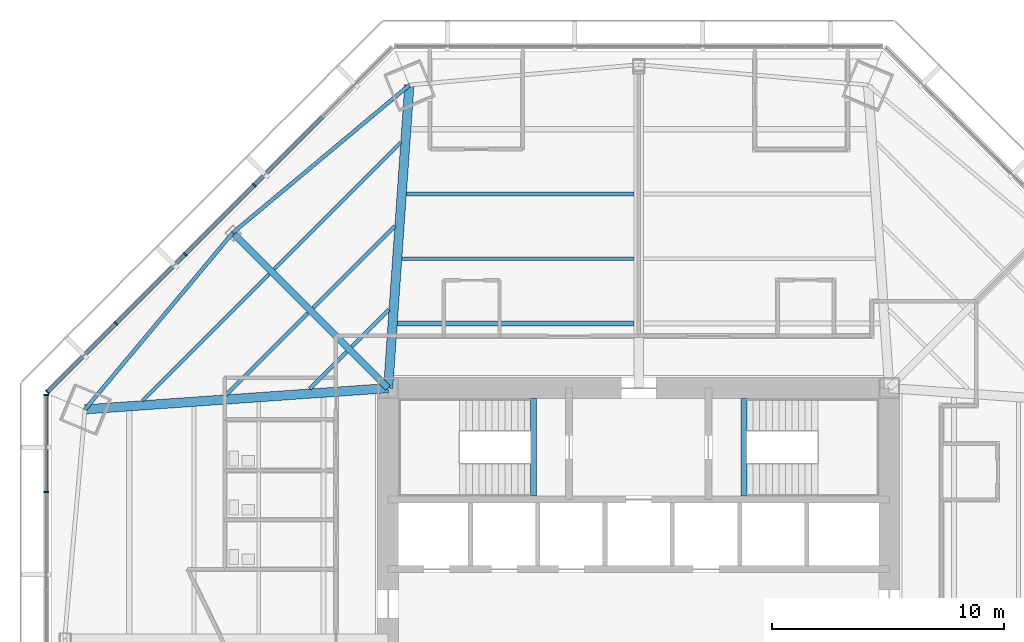
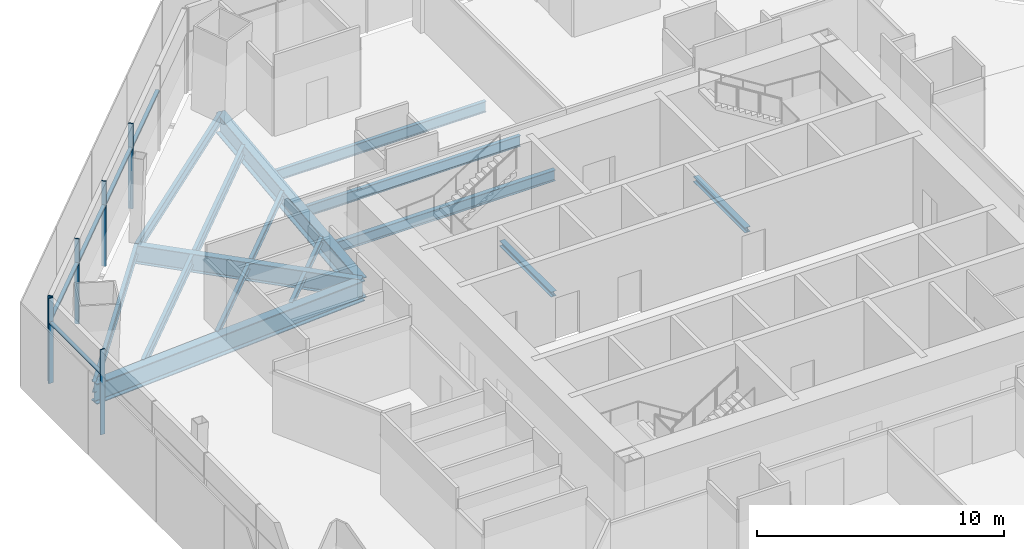
# One storey, part 5 of 17: 16 beams, 11 members, 2 elements without a shape of their own.
"""IFC4 building model written with IfcOpenShell, lengths in metres."""

import ifcopenshell
import ifcopenshell.guid

model = None  # the IFC model being written
_history = None  # IfcOwnerHistory: only IFC2X3 demands one
_inside = {}  # id of a spatial element -> (the spatial element, [elements in it])
_under = {}  # id of a project, library or spatial element -> (it, [spatial elements below it])
_declared = {}  # id of a project -> (the project, [libraries it declares])
_typed = {}  # id of a type object -> (the type object, [elements of that type])
_made_of = {}  # id of a material, layer set ... -> (it, [elements and type objects made of it])


def new_model(schema):
    """Start an empty IFC model of exactly this schema.

    Asked for "IFC4X3", IfcOpenShell would pick the latest addendum, in which some entities
    have other attributes; the version numbers below select the first issue.
    IFC2X3 requires an IfcOwnerHistory on every rooted entity: one is made here for all.
    """
    global model, _history
    if schema == "IFC4X3":
        model = ifcopenshell.file(schema_version=(4, 3, 0, 0))
    else:
        model = ifcopenshell.file(schema=schema)
    _inside.clear()
    _under.clear()
    _declared.clear()
    _typed.clear()
    _made_of.clear()
    _history = None
    if model.schema == "IFC2X3":
        org = make("IfcOrganization", Name="unknown")
        user = make(
            "IfcPersonAndOrganization",
            ThePerson=make("IfcPerson", FamilyName="unknown"),
            TheOrganization=org,
        )
        app = make(
            "IfcApplication",
            ApplicationDeveloper=org,
            Version="unknown",
            ApplicationFullName="unknown",
            ApplicationIdentifier="unknown",
        )
        _history = make(
            "IfcOwnerHistory",
            OwningUser=user,
            OwningApplication=app,
            ChangeAction="ADDED",
            CreationDate=0,
        )
    return model


def make(cls, **values):
    """One entity of the class cls with the attributes given. An attribute that is None is left unset."""
    return model.create_entity(
        cls, **{name: value for name, value in values.items() if value is not None}
    )


def rooted(cls, **values):
    """An entity with a GlobalId (a new one), such as an element, a storey or a relation."""
    return make(cls, GlobalId=ifcopenshell.guid.new(), OwnerHistory=_history, **values)


def si_unit(unit_type, name, prefix=None):
    """IfcSIUnit, for example si_unit("LENGTHUNIT", "METRE", prefix="MILLI")."""
    return make("IfcSIUnit", UnitType=unit_type, Prefix=prefix, Name=name)


def assignment(units):
    """IfcUnitAssignment: the units of a project."""
    return None if units is None else make("IfcUnitAssignment", Units=units)


def point(xyz):
    """IfcCartesianPoint."""
    return None if xyz is None else make("IfcCartesianPoint", Coordinates=xyz)


def direction(xyz):
    """IfcDirection."""
    return None if xyz is None else make("IfcDirection", DirectionRatios=xyz)


def frame(location, z_axis=None, x_axis=None):
    """IfcAxis2Placement3D, a coordinate frame: its origin and axes. An axis left out is left unset."""
    return make(
        "IfcAxis2Placement3D",
        Location=point(location),
        Axis=direction(z_axis),
        RefDirection=direction(x_axis),
    )


def frame_2d(location, x_axis=None):
    """IfcAxis2Placement2D, a coordinate frame in the plane: its origin and x axis."""
    return make(
        "IfcAxis2Placement2D", Location=point(location), RefDirection=direction(x_axis)
    )


def origin():
    """The frame at (0, 0, 0) with its axes left unset."""
    return frame((0.0, 0.0, 0.0))


def origin_2d():
    """The frame at (0, 0) in the plane with its x axis left unset."""
    return frame_2d((0.0, 0.0))


def place(relative_to, where):
    """IfcLocalPlacement: puts the frame where relative to a parent placement (None: the world)."""
    return make(
        "IfcLocalPlacement", PlacementRelTo=relative_to, RelativePlacement=where
    )


def context(
    kind, dimensions, precision=None, world=None, true_north=None, identifier=None
):
    """IfcGeometricRepresentationContext, for example the 3D "Model" context."""
    return make(
        "IfcGeometricRepresentationContext",
        ContextIdentifier=identifier,
        ContextType=kind,
        CoordinateSpaceDimension=dimensions,
        Precision=precision,
        WorldCoordinateSystem=world,
        TrueNorth=true_north,
    )


def subcontext(parent, identifier, kind, view, scale=None):
    """IfcGeometricRepresentationSubContext, for example "Body" below "Model"."""
    return make(
        "IfcGeometricRepresentationSubContext",
        ContextIdentifier=identifier,
        ContextType=kind,
        ParentContext=parent,
        TargetScale=scale,
        TargetView=view,
    )


def project(units=None, contexts=None):
    """IfcProject with its units and contexts."""
    return rooted(
        "IfcProject",
        Name="project",
        RepresentationContexts=contexts,
        UnitsInContext=assignment(units),
    )


def spatial(cls, under=None, at=None, **own):
    """A site, building, storey or space (cls), placed at a placement, below another one or the project."""
    s = rooted(cls, ObjectPlacement=at, **own)
    if under is not None:
        _under.setdefault(under.id(), (under, []))[1].append(s)
    return s


def profile(cls, at=None, kind="AREA", **sizes):
    """A parametric profile (cls). Its sizes go by their IFC names, for example OverallWidth=200.0."""
    return make(cls, ProfileType=kind, Position=at, **sizes)


def rectangle(**sizes):
    """IfcRectangleProfileDef."""
    return profile("IfcRectangleProfileDef", **sizes)


def i_section(**sizes):
    """IfcIShapeProfileDef."""
    return profile("IfcIShapeProfileDef", **sizes)


def extrude(swept, where, along, depth):
    """IfcExtrudedAreaSolid: the profile swept, set in the frame where, extruded along a direction by depth."""
    return make(
        "IfcExtrudedAreaSolid",
        SweptArea=swept,
        Position=where,
        ExtrudedDirection=direction(along),
        Depth=depth,
    )


def shape(context_of_items, identifier, shape_type, items):
    """IfcShapeRepresentation: the items that make up one representation, for example the "Body"."""
    return make(
        "IfcShapeRepresentation",
        ContextOfItems=context_of_items,
        RepresentationIdentifier=identifier,
        RepresentationType=shape_type,
        Items=items,
    )


def source(mapping_origin, context_of_items, identifier, shape_type, items):
    """IfcRepresentationMap: a shape defined once, which mapped items show again and again."""
    return make(
        "IfcRepresentationMap",
        MappingOrigin=mapping_origin,
        MappedRepresentation=shape(context_of_items, identifier, shape_type, items),
    )


def transform(
    local_origin,
    x_axis=None,
    y_axis=None,
    z_axis=None,
    scale=None,
    scale2=None,
    scale3=None,
    uniform=True,
):
    """IfcCartesianTransformationOperator3D, or its non-uniform kind. x_axis, y_axis, z_axis: its Axis1, 2, 3."""
    if uniform:
        return make(
            "IfcCartesianTransformationOperator3D",
            Axis1=direction(x_axis),
            Axis2=direction(y_axis),
            LocalOrigin=point(local_origin),
            Scale=scale,
            Axis3=direction(z_axis),
        )
    return make(
        "IfcCartesianTransformationOperator3DnonUniform",
        Axis1=direction(x_axis),
        Axis2=direction(y_axis),
        LocalOrigin=point(local_origin),
        Scale=scale,
        Axis3=direction(z_axis),
        Scale2=scale2,
        Scale3=scale3,
    )


def mapped(mapping_source, mapping_target):
    """IfcMappedItem: shows the shape of a source again, moved by a transform."""
    return make(
        "IfcMappedItem", MappingSource=mapping_source, MappingTarget=mapping_target
    )


def material(Name=None, Category=None):
    """IfcMaterial."""
    return make("IfcMaterial", Name=Name, Category=Category)


def material_profile(
    of_material, cross_section, Name=None, Category=None, Priority=None
):
    """IfcMaterialProfile: a cross section and its material."""
    return make(
        "IfcMaterialProfile",
        Name=Name,
        Material=of_material,
        Profile=cross_section,
        Priority=Priority,
        Category=Category,
    )


def profile_set(profiles, Name=None, composite=None):
    """IfcMaterialProfileSet."""
    return make(
        "IfcMaterialProfileSet",
        Name=Name,
        MaterialProfiles=profiles,
        CompositeProfile=composite,
    )


def made_of(thing, what):
    """Note that an element or type object is made of a material, layer set ...; save() writes the relation."""
    if what is not None:
        _made_of.setdefault(what.id(), (what, []))[1].append(thing)
    return thing


def type_object(cls, material=None, **own):
    """A type object (cls), such as IfcWallType, which elements share."""
    return made_of(rooted(cls, **own), material)


def type_shapes(of_type, sources):
    """Give a type object the sources (RepresentationMaps) that its elements show as mapped items."""
    of_type.RepresentationMaps = sources


def element(
    cls,
    number,
    at=None,
    inside=None,
    cuts=None,
    type_object=None,
    material=None,
    context=None,
    identifier="Body",
    shape_type=None,
    held_by="IfcProductDefinitionShape",
    body=None,
    shapes=None,
    **own,
):
    """One element of the class cls, such as IfcWall. Its Tag is "e" and its number.

    at: its placement. inside: the storey or other place that contains it. cuts: it is an
    opening in that element (IfcRelVoidsElement). A single representation is given by context,
    identifier, shape_type and body (its items); several are given by shapes. held_by: the class
    of the entity that holds the representations. save() writes the other relations.
    """
    e = rooted(cls, Tag="e%d" % number, ObjectPlacement=at, **own)
    if body is not None:
        shapes = [shape(context, identifier, shape_type, body)]
    if shapes is not None:
        e.Representation = make(held_by, Representations=shapes)
    if inside is not None:
        _inside.setdefault(inside.id(), (inside, []))[1].append(e)
    if cuts is not None:
        rooted(
            "IfcRelVoidsElement", RelatingBuildingElement=cuts, RelatedOpeningElement=e
        )
    if type_object is not None:
        _typed.setdefault(type_object.id(), (type_object, []))[1].append(e)
    return made_of(e, material)


def aggregate(whole, parts):
    """IfcRelAggregates: a whole, such as a stair, and the parts it consists of."""
    return rooted("IfcRelAggregates", RelatingObject=whole, RelatedObjects=parts)


def save(model, path):
    """Write the relations noted so far, then the file.

    IfcRelAggregates (storeys below a building ...), IfcRelContainedInSpatialStructure (elements
    in a storey), IfcRelDefinesByType, IfcRelAssociatesMaterial and IfcRelDeclares: one each for
    every whole, place, type object, material and project.
    """
    for whole, parts in _under.values():
        aggregate(whole, parts)
    for where, things in _inside.values():
        rooted(
            "IfcRelContainedInSpatialStructure",
            RelatedElements=things,
            RelatingStructure=where,
        )
    for kind, things in _typed.values():
        rooted("IfcRelDefinesByType", RelatedObjects=things, RelatingType=kind)
    for what, things in _made_of.values():
        rooted("IfcRelAssociatesMaterial", RelatedObjects=things, RelatingMaterial=what)
    for by, libraries in _declared.values():
        rooted("IfcRelDeclares", RelatingContext=by, RelatedDefinitions=libraries)
    model.write(path)


model = new_model("IFC4")

# Units and contexts
model_context = context("Model", 3, precision=1e-05, world=origin(), true_north=direction((0.0, 1.0)))
body_context = subcontext(model_context, "Body", "Model", "MODEL_VIEW")
ifc_project = project(units=[si_unit("LENGTHUNIT", "METRE"), si_unit("AREAUNIT", "SQUARE_METRE"), si_unit("VOLUMEUNIT", "CUBIC_METRE"), si_unit("PLANEANGLEUNIT", "RADIAN"), si_unit("MASSUNIT", "GRAM", prefix="KILO")], contexts=[model_context])

# Site, building, storey
site_placement = place(None, origin())
site = spatial("IfcSite", under=ifc_project, at=site_placement, CompositionType="ELEMENT")
building_placement = place(site_placement, origin())
building = spatial("IfcBuilding", under=site, at=building_placement, Name="Mashrafa Tower", CompositionType="ELEMENT")
storey_placement = place(building_placement, frame((0.0, 0.0, 87.60009765625)))
storey = spatial("IfcBuildingStorey", under=building, at=storey_placement, Name="L19", CompositionType="ELEMENT", Elevation=87.60009765625)

# Beams
ifc_material_1 = material(Name="Steel ASTM A992", Category="steel")
ifc_material_profile_1 = material_profile(ifc_material_1, i_section(OverallWidth=0.164794921875, OverallDepth=0.309814453125, WebThickness=0.005859375, FlangeThickness=0.009765625, FilletRadius=0.007568359375, at=origin_2d()), Name="W12X26")
ifc_profile_set_1 = profile_set([ifc_material_profile_1], Name="Steel ASTM A992")
beam_type_1 = type_object("IfcBeamType", Name="Beam W12X26", PredefinedType="BEAM", material=ifc_profile_set_1)
beam_1_placement = place(storey_placement, frame((-17.782958984375, 10.51171875, -0.320068359375), z_axis=(0.707106781187, 0.707106781187, 0.0), x_axis=(-0.707106781187, 0.707106781187, 0.0)))
element("IfcBeam", 1, at=beam_1_placement, inside=storey, type_object=beam_type_1, Name="Floor beam L19 006", PredefinedType="BEAM", context=body_context, shape_type="SweptSolid", body=[
    extrude(i_section(OverallWidth=0.164794921875, OverallDepth=0.309814453125, WebThickness=0.005859375, FlangeThickness=0.009765625, FilletRadius=0.007568359375, at=origin_2d()), origin(), (0.0, 0.0, 1.0), 4.989013671875),
])
beam_2_placement = place(storey_placement, frame((-14.183349609375, 10.763916015625, -0.320068359375), z_axis=(0.707052896121, 0.707160662147, 0.0), x_axis=(-0.707160662147, 0.707052896121, 0.0)))
element("IfcBeam", 2, at=beam_2_placement, inside=storey, type_object=beam_type_1, Name="Floor beam L19 011", PredefinedType="BEAM", context=body_context, shape_type="SweptSolid", body=[
    extrude(i_section(OverallWidth=0.164794921875, OverallDepth=0.309814453125, WebThickness=0.005859375, FlangeThickness=0.009765625, FilletRadius=0.007568359375, at=origin_2d()), origin(), (0.0, 0.0, 1.0), 2.265380859375),
])
beam_3_placement = place(storey_placement, frame((-14.03955078125, 14.255126953125, -0.320068359375), z_axis=(0.707106781187, 0.707106781187, 0.0), x_axis=(-0.707106781187, 0.707106781187, 0.0)))
element("IfcBeam", 3, at=beam_3_placement, inside=storey, type_object=beam_type_1, Name="Floor beam L19 013", PredefinedType="BEAM", context=body_context, shape_type="SweptSolid", body=[
    extrude(i_section(OverallWidth=0.164794921875, OverallDepth=0.309814453125, WebThickness=0.005859375, FlangeThickness=0.009765625, FilletRadius=0.007568359375, at=origin_2d()), origin(), (0.0, 0.0, 1.0), 4.989013671875),
])
beam_4_placement = place(storey_placement, frame((-12.365966796875, 12.58154296875, -0.320068359375), z_axis=(0.707160662147, 0.707052896121, 0.0), x_axis=(-0.707052896121, 0.707160662147, 0.0)))
element("IfcBeam", 4, at=beam_4_placement, inside=storey, type_object=beam_type_1, Name="Floor beam L19 017", PredefinedType="BEAM", context=body_context, shape_type="SweptSolid", body=[
    extrude(i_section(OverallWidth=0.164794921875, OverallDepth=0.309814453125, WebThickness=0.005859375, FlangeThickness=0.009765625, FilletRadius=0.007568359375, at=origin_2d()), origin(), (0.0, 0.0, 1.0), 2.265380859375),
])
ifc_material_2 = material(Name="Steel ASTM A992", Category="steel")
ifc_material_profile_2 = material_profile(ifc_material_2, i_section(OverallWidth=0.165771484375, OverallDepth=0.5283203125, WebThickness=0.009765625, FlangeThickness=0.013671875, FilletRadius=0.012939453125, at=origin_2d()), Name="W21X50")
ifc_profile_set_2 = profile_set([ifc_material_profile_2], Name="Steel ASTM A992")
beam_type_2 = type_object("IfcBeamType", Name="Beam W21X50", PredefinedType="BEAM", material=ifc_profile_set_2)
for number, where, z_axis, x_axis, name in (
    (5, (-21.3828125, 10.259521484375, -0.42919921875), (0.707138433944, 0.707075127012, 0.0), (-0.707075127012, 0.707138433944, 0.0), "Floor beam L19 003"),
    (6, (-15.713134765625, 15.9287109375, -0.42919921875), (0.707075127012, 0.707138433944, 0.0), (-0.707138433944, 0.707075127012, 0.0), "Floor beam L19 010"),
):
    element("IfcBeam", number, at=place(storey_placement, frame(where, z_axis=z_axis, x_axis=x_axis)), inside=storey, type_object=beam_type_2, Name=name, PredefinedType="BEAM", context=body_context, shape_type="SweptSolid", body=[
        extrude(i_section(OverallWidth=0.165771484375, OverallDepth=0.5283203125, WebThickness=0.009765625, FlangeThickness=0.013671875, FilletRadius=0.012939453125, at=origin_2d()), origin(), (0.0, 0.0, 1.0), 7.712890625),
    ])
beam_5_placement = place(storey_placement, frame((-10.2080078125, 16.37646484375, -0.42919921875), z_axis=(1.0, 0.0, 0.0), x_axis=(0.0, 1.0, 0.0)))
element("IfcBeam", 7, at=beam_5_placement, inside=storey, type_object=beam_type_2, Name="Floor beam L19 020", PredefinedType="BEAM", context=body_context, shape_type="SweptSolid", body=[
    extrude(i_section(OverallWidth=0.165771484375, OverallDepth=0.5283203125, WebThickness=0.009765625, FlangeThickness=0.013671875, FilletRadius=0.012939453125, at=origin_2d()), origin(), (0.0, 0.0, 1.0), 9.995849609375),
])
beam_6_placement = place(storey_placement, frame((-10.012451171875, 19.164794921875, -0.42919921875), z_axis=(1.0, 0.0, 0.0), x_axis=(0.0, 1.0, 0.0)))
element("IfcBeam", 8, at=beam_6_placement, inside=storey, type_object=beam_type_2, Name="Floor beam L19 022", PredefinedType="BEAM", context=body_context, shape_type="SweptSolid", body=[
    extrude(i_section(OverallWidth=0.165771484375, OverallDepth=0.5283203125, WebThickness=0.009765625, FlangeThickness=0.013671875, FilletRadius=0.012939453125, at=origin_2d()), origin(), (0.0, 0.0, 1.0), 9.80029296875),
])
for number, where, z_axis, x_axis, name in (
    (9, (-17.49462890625, 17.49462890625, -0.42919921875), (-0.641768112659, -0.766898747928, 0.0), (0.766898747928, -0.641768112659, 0.0), "Spandrel beam L19 077"),
    (10, (-9.884521484375, 23.863037109375, -0.42919921875), (-0.766898747928, -0.641768112659, 0.0), (0.641768112659, -0.766898747928, 0.0), "Spandrel beam L19 079"),
):
    element("IfcBeam", number, at=place(storey_placement, frame(where, z_axis=z_axis, x_axis=x_axis)), inside=storey, type_object=beam_type_2, Name=name, PredefinedType="BEAM", context=body_context, shape_type="SweptSolid", body=[
        extrude(i_section(OverallWidth=0.165771484375, OverallDepth=0.5283203125, WebThickness=0.009765625, FlangeThickness=0.013671875, FilletRadius=0.012939453125, at=origin_2d()), origin(), (0.0, 0.0, 1.0), 9.92333984375),
    ])
ifc_material_3 = material(Name="Steel ASTM A992", Category="steel")
ifc_material_profile_3 = material_profile(ifc_material_3, i_section(OverallWidth=0.209228515625, OverallDepth=0.533447265625, WebThickness=0.01025390625, FlangeThickness=0.015625, FilletRadius=0.012939453125, at=origin_2d()), Name="W21X62")
ifc_profile_set_3 = profile_set([ifc_material_profile_3], Name="Steel ASTM A992")
beam_type_3 = type_object("IfcBeamType", Name="Beam W21X62", PredefinedType="BEAM", material=ifc_profile_set_3)
beam_7_placement = place(storey_placement, frame((-10.4033203125, 13.58837890625, -0.431884765625), z_axis=(1.0, 0.0, 0.0), x_axis=(0.0, 1.0, 0.0)))
element("IfcBeam", 11, at=beam_7_placement, inside=storey, type_object=beam_type_3, Name="Floor beam L19 018", PredefinedType="BEAM", context=body_context, shape_type="SweptSolid", body=[
    extrude(i_section(OverallWidth=0.209228515625, OverallDepth=0.533447265625, WebThickness=0.01025390625, FlangeThickness=0.015625, FilletRadius=0.012939453125, at=origin_2d()), origin(), (0.0, 0.0, 1.0), 10.191162109375),
])
ifc_material_4 = material(Name="Steel ASTM A992", Category="steel")
ifc_material_profile_4 = material_profile(ifc_material_4, i_section(OverallWidth=0.3046875, OverallDepth=0.911865234375, WebThickness=0.015869140625, FlangeThickness=0.02392578125, FilletRadius=0.01904296875, at=origin_2d()), Name="W36X150")
ifc_profile_set_4 = profile_set([ifc_material_profile_4], Name="Steel ASTM A992")
beam_type_4 = type_object("IfcBeamType", Name="Beam W36X150", PredefinedType="BEAM", material=ifc_profile_set_4)
beam_8_placement = place(storey_placement, frame((-10.800048828125, 10.800048828125, -0.62109375), z_axis=(-0.707106781187, 0.707106781187, 0.0), x_axis=(-0.707106781187, -0.707106781187, 0.0)))
element("IfcBeam", 12, at=beam_8_placement, inside=storey, type_object=beam_type_4, Name="Radial girder L19 062", PredefinedType="BEAM", context=body_context, shape_type="SweptSolid", body=[
    extrude(i_section(OverallWidth=0.3046875, OverallDepth=0.911865234375, WebThickness=0.015869140625, FlangeThickness=0.02392578125, FilletRadius=0.01904296875, at=origin_2d()), origin(), (0.0, 0.0, 1.0), 9.467529296875),
])
ifc_material_5 = material(Name="Steel ASTM A992", Category="steel")
ifc_material_profile_5 = material_profile(ifc_material_5, i_section(OverallWidth=0.4013671875, OverallDepth=1.010986328125, WebThickness=0.023681640625, FlangeThickness=0.0419921875, FilletRadius=0.02001953125, at=origin_2d()), Name="W40X297")
ifc_profile_set_5 = profile_set([ifc_material_profile_5], Name="Steel ASTM A992")
beam_type_5 = type_object("IfcBeamType", Name="Beam W40X297", PredefinedType="BEAM", material=ifc_profile_set_5)
for number, where, z_axis, x_axis, name in (
    (13, (-10.800048828125, 10.800048828125, -0.670654296875), (-0.997553015479, -0.069914099504, 0.0), (0.069914099504, -0.997553015479, 0.0), "Radial girder L19 061"),
    (14, (-10.800048828125, 10.800048828125, -0.670654296875), (0.069914099504, 0.997553015479, 0.0), (-0.997553015479, 0.069914099504, 0.0), "Radial girder L19 063"),
):
    element("IfcBeam", number, at=place(storey_placement, frame(where, z_axis=z_axis, x_axis=x_axis)), inside=storey, type_object=beam_type_5, Name=name, PredefinedType="BEAM", context=body_context, shape_type="SweptSolid", body=[
        extrude(i_section(OverallWidth=0.4013671875, OverallDepth=1.010986328125, WebThickness=0.023681640625, FlangeThickness=0.0419921875, FilletRadius=0.02001953125, at=origin_2d()), origin(), (0.0, 0.0, 1.0), 13.094970703125),
    ])
ifc_material_6 = material(Name="Steel ASTM A992", Category="steel")
ifc_material_profile_6 = material_profile(ifc_material_6, i_section(OverallWidth=0.25390625, OverallDepth=0.25390625, WebThickness=0.008544921875, FlangeThickness=0.01416015625, FilletRadius=0.010009765625, at=origin_2d()), Name="W10X49")
ifc_profile_set_6 = profile_set([ifc_material_profile_6], Name="Steel ASTM A992")
beam_type_6 = type_object("IfcBeamType", Name="Hoistway beam W10X49", PredefinedType="BEAM", material=ifc_profile_set_6)
for number, where, z_axis, x_axis, name in (
    (15, (-4.530029296875, 6.14990234375, -0.3271484375), (0.0, 1.0, 0.0), (-1.0, 0.0, 0.0), "Stair S1 landing beam L19"),
    (16, (4.530029296875, 6.14990234375, -0.3271484375), (0.0, 1.0, 0.0), (-1.0, 0.0, 0.0), "Stair S2 landing beam L19"),
):
    element("IfcBeam", number, at=place(storey_placement, frame(where, z_axis=z_axis, x_axis=x_axis)), inside=storey, type_object=beam_type_6, Name=name, PredefinedType="BEAM", context=body_context, shape_type="SweptSolid", body=[
        extrude(i_section(OverallWidth=0.25390625, OverallDepth=0.25390625, WebThickness=0.008544921875, FlangeThickness=0.01416015625, FilletRadius=0.010009765625, at=origin_2d()), origin(), (0.0, 0.0, 1.0), 4.2001953125),
    ])

# Curtain wall, members
ifc_material_7 = material(Name="Unitised aluminium curtain wall", Category="aluminium")
curtain_wall_type = type_object("IfcCurtainWallType", Name="Office curtain wall, zone 1 CW-A 200 deep", PredefinedType="NOTDEFINED", material=ifc_material_7)
curtain_wall_1_placement = place(storey_placement, origin())
curtain_wall_1 = element("IfcCurtainWall", 17, at=curtain_wall_1_placement, inside=storey, type_object=curtain_wall_type, Name="Office curtain wall, zone 1 L19 north-west", PredefinedType="NOTDEFINED")
ifc_material_8 = material(Name="Extruded aluminium mullion", Category="aluminium")
ifc_material_profile_7 = material_profile(ifc_material_8, rectangle(XDim=0.199951171875, YDim=0.06494140625, at=origin_2d()), Name="Mullion 65x200")
ifc_profile_set_7 = profile_set([ifc_material_profile_7], Name="Extruded aluminium mullion")
member_type_1 = type_object("IfcMemberType", Name="Mullion CW-A 65 x 200", PredefinedType="MULLION", material=ifc_profile_set_7)
shared_shape_1 = source(origin(), body_context, "Body", "SweptSolid", [
    extrude(rectangle(XDim=0.199951171875, YDim=0.06494140625, at=origin_2d()), origin(), (0.0, 0.0, 1.0), 4.199951171875),
])
type_shapes(member_type_1, [shared_shape_1])
member_1_placement = place(storey_placement, frame((-16.568603515625, 19.545654296875, 0.0), z_axis=(0.0, 0.0, 1.0), x_axis=(0.707106781187, -0.707106781187, 0.0)))
member_1 = element("IfcMember", 18, at=member_1_placement, type_object=member_type_1, Name="CW-A mullion 3", PredefinedType="MULLION", context=body_context, shape_type="MappedRepresentation", body=[
    mapped(shared_shape_1, transform((0.0, 0.0, 0.0))),
])
member_2_placement = place(storey_placement, frame((-19.545654296875, 16.568603515625, 0.0), z_axis=(0.0, 0.0, 1.0), x_axis=(0.707106781187, -0.707106781187, 0.0)))
member_2 = element("IfcMember", 19, at=member_2_placement, type_object=member_type_1, Name="CW-A mullion 4", PredefinedType="MULLION", context=body_context, shape_type="MappedRepresentation", body=[
    mapped(shared_shape_1, transform((0.0, 0.0, 0.0))),
])
member_3_placement = place(storey_placement, frame((-22.52294921875, 13.59130859375, 0.0), z_axis=(0.0, 0.0, 1.0), x_axis=(0.707106781187, -0.707106781187, 0.0)))
member_3 = element("IfcMember", 20, at=member_3_placement, type_object=member_type_1, Name="CW-A mullion 5", PredefinedType="MULLION", context=body_context, shape_type="MappedRepresentation", body=[
    mapped(shared_shape_1, transform((0.0, 0.0, 0.0))),
])
member_4_placement = place(storey_placement, frame((-25.477294921875, 10.636962890625, 0.0), z_axis=(0.0, 0.0, 1.0), x_axis=(0.707106781187, -0.707106781187, 0.0)))
member_4 = element("IfcMember", 21, at=member_4_placement, type_object=member_type_1, Name="CW-A mullion 6", PredefinedType="MULLION", context=body_context, shape_type="MappedRepresentation", body=[
    mapped(shared_shape_1, transform((0.0, 0.0, 0.0))),
])

curtain_wall_2_placement = place(storey_placement, origin())
curtain_wall_2 = element("IfcCurtainWall", 22, at=curtain_wall_2_placement, inside=storey, type_object=curtain_wall_type, Name="Office curtain wall, zone 1 L19 west", PredefinedType="NOTDEFINED")
member_5_placement = place(storey_placement, frame((-25.53662109375, 10.49365234375, 0.0), z_axis=(0.0, 0.0, 1.0), x_axis=(1.0, 0.0, 0.0)))
member_5 = element("IfcMember", 23, at=member_5_placement, type_object=member_type_1, Name="CW-A mullion 1", PredefinedType="MULLION", context=body_context, shape_type="MappedRepresentation", body=[
    mapped(shared_shape_1, transform((0.0, 0.0, 0.0))),
])
member_6_placement = place(storey_placement, frame((-25.53662109375, 6.315673828125, 0.0), z_axis=(0.0, 0.0, 1.0), x_axis=(1.0, 0.0, 0.0)))
member_6 = element("IfcMember", 24, at=member_6_placement, type_object=member_type_1, Name="CW-A mullion 2", PredefinedType="MULLION", context=body_context, shape_type="MappedRepresentation", body=[
    mapped(shared_shape_1, transform((0.0, 0.0, 0.0))),
])
ifc_material_9 = material(Name="Extruded aluminium transom", Category="aluminium")
ifc_material_profile_8 = material_profile(ifc_material_9, rectangle(XDim=0.159912109375, YDim=0.080078125, at=origin_2d()), Name="Transom 80x160")
ifc_profile_set_8 = profile_set([ifc_material_profile_8], Name="Extruded aluminium transom")
member_type_2 = type_object("IfcMemberType", Name="Transom CW-A 80 x 160", PredefinedType="MULLION", material=ifc_profile_set_8)
shared_shape_2 = source(origin(), body_context, "Body", "SweptSolid", [
    extrude(rectangle(XDim=0.159912109375, YDim=0.080078125, at=origin_2d()), origin(), (0.0, 0.0, 1.0), 4.113037109375),
])
member_7_placement = place(storey_placement, frame((-25.53662109375, 10.461181640625, 3.0), z_axis=(0.0, -1.0, 0.0), x_axis=(1.0, 0.0, 0.0)))
member_7 = element("IfcMember", 25, at=member_7_placement, type_object=member_type_2, Name="CW-A transom 1", PredefinedType="MULLION", context=body_context, shape_type="MappedRepresentation", body=[
    mapped(shared_shape_2, transform((0.0, 0.0, 0.0))),
])
aggregate(curtain_wall_2, [member_5, member_6, member_7])

# Member
shared_shape_3 = source(origin(), body_context, "Body", "SweptSolid", [
    extrude(rectangle(XDim=0.159912109375, YDim=0.080078125, at=origin_2d()), origin(), (0.0, 0.0, 1.0), 4.11328125),
])
member_8_placement = place(storey_placement, frame((-22.5458984375, 13.568359375, 3.0), z_axis=(-0.707106781187, -0.707106781187, 0.0), x_axis=(0.707106781187, -0.707106781187, 0.0)))
member_8 = element("IfcMember", 26, at=member_8_placement, type_object=member_type_2, Name="CW-A transom 5", PredefinedType="MULLION", context=body_context, shape_type="MappedRepresentation", body=[
    mapped(shared_shape_3, transform((0.0, 0.0, 0.0))),
])

shared_shape_4 = source(origin(), body_context, "Body", "SweptSolid", [
    extrude(rectangle(XDim=0.159912109375, YDim=0.080078125, at=origin_2d()), origin(), (0.0, 0.0, 1.0), 4.145263671875),
])
type_shapes(member_type_2, [shared_shape_2, shared_shape_3, shared_shape_4])
member_9_placement = place(storey_placement, frame((-13.6142578125, 22.5, 3.0), z_axis=(-0.707106781187, -0.707106781187, 0.0), x_axis=(0.707106781187, -0.707106781187, 0.0)))
member_9 = element("IfcMember", 27, at=member_9_placement, type_object=member_type_2, Name="CW-A transom 2", PredefinedType="MULLION", context=body_context, shape_type="MappedRepresentation", body=[
    mapped(shared_shape_4, transform((0.0, 0.0, 0.0))),
])

member_10_placement = place(storey_placement, frame((-16.591552734375, 19.522705078125, 3.0), z_axis=(-0.707106781187, -0.707106781187, 0.0), x_axis=(0.707106781187, -0.707106781187, 0.0)))
member_10 = element("IfcMember", 28, at=member_10_placement, type_object=member_type_2, Name="CW-A transom 3", PredefinedType="MULLION", context=body_context, shape_type="MappedRepresentation", body=[
    mapped(shared_shape_4, transform((0.0, 0.0, 0.0))),
])

member_11_placement = place(storey_placement, frame((-19.56884765625, 16.54541015625, 3.0), z_axis=(-0.707106781187, -0.707106781187, 0.0), x_axis=(0.707106781187, -0.707106781187, 0.0)))
member_11 = element("IfcMember", 29, at=member_11_placement, type_object=member_type_2, Name="CW-A transom 4", PredefinedType="MULLION", context=body_context, shape_type="MappedRepresentation", body=[
    mapped(shared_shape_4, transform((0.0, 0.0, 0.0))),
])

aggregate(curtain_wall_1, [member_1, member_2, member_3, member_4, member_9, member_10, member_11, member_8])

save(model, "model.ifc")
